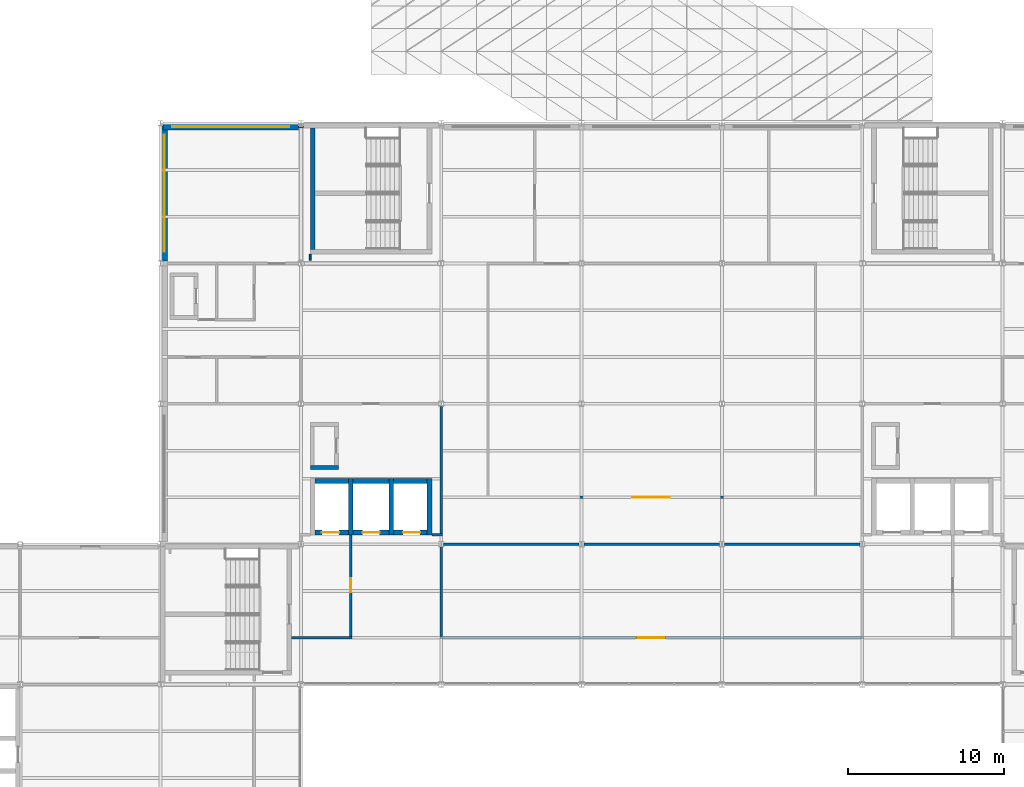
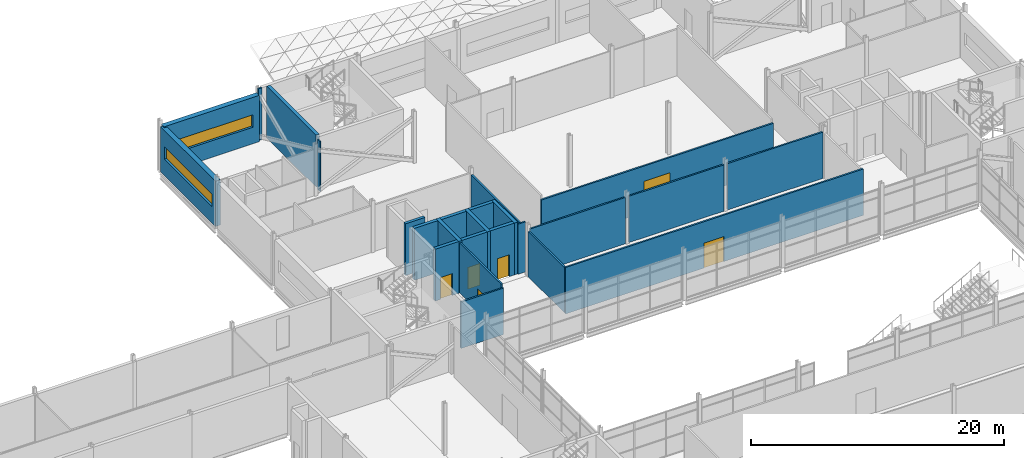
# One storey, part 84 of 112: 25 walls, 6 doors, 2 windows, 8 openings.
"""IFC4 building model written with IfcOpenShell, lengths in metres."""

from ifc_helpers import new_model, si_unit, direction, frame, frame_2d, origin, place, context, subcontext, project, spatial, rectangle, extrude, material, layer, layer_set, type_object, element, fill, save


model = new_model("IFC4")

# Units and contexts
model_context = context("Model", 3, precision=1e-05, world=origin(), true_north=direction((0.0, 1.0)))
body_context = subcontext(model_context, "Body", "Model", "MODEL_VIEW")
ifc_project = project(units=[si_unit("LENGTHUNIT", "METRE"), si_unit("AREAUNIT", "SQUARE_METRE"), si_unit("VOLUMEUNIT", "CUBIC_METRE"), si_unit("PLANEANGLEUNIT", "RADIAN"), si_unit("MASSUNIT", "GRAM", prefix="KILO")], contexts=[model_context])

# Site, building, storey
site_placement = place(None, origin())
site = spatial("IfcSite", under=ifc_project, at=site_placement, CompositionType="ELEMENT")
building_placement = place(site_placement, origin())
building = spatial("IfcBuilding", under=site, at=building_placement, Name="Shorebreak Coast Museum", CompositionType="ELEMENT")
storey_placement = place(building_placement, frame((0.0, 0.0, 6.0)))
storey = spatial("IfcBuildingStorey", under=building, at=storey_placement, Name="L01", CompositionType="ELEMENT", Elevation=6.0)

# Wall
ifc_material_1 = material(Name="Concrete N50 (50 MPa)", Category="concrete")
ifc_layer_1 = layer(ifc_material_1, 0.136474609375)
ifc_layer_set_1 = layer_set([ifc_layer_1], Name="Concrete N50 (50 MPa)")
wall_type_1 = type_object("IfcWallType", Name="Column closure panel 136", PredefinedType="SOLIDWALL", material=ifc_layer_set_1)
wall_1_placement = place(storey_placement, frame((62.83349609375, 116.768310546875, 0.0), z_axis=(0.0, 0.0, 1.0), x_axis=(1.0, 0.0, 0.0)))
element("IfcWall", 1, at=wall_1_placement, inside=storey, type_object=wall_type_1, Name="Column closure panel L01 N 8P", PredefinedType="SOLIDWALL", context=body_context, shape_type="SweptSolid", body=[
    extrude(rectangle(XDim=0.322021484375, YDim=0.136474609375, at=frame_2d((0.1611328125, 0.0))), origin(), (0.0, 0.0, 1.0), 5.0),
])

# Wall, opening, window
ifc_material_2 = material(Name="Concrete N50 (50 MPa)", Category="concrete")
ifc_layer_2 = layer(ifc_material_2, 0.449951171875)
ifc_layer_set_2 = layer_set([ifc_layer_2], Name="Concrete N50 (50 MPa)")
wall_type_2 = type_object("IfcWallType", Name="Deep-set precast panel 450", PredefinedType="SOLIDWALL", material=ifc_layer_set_2)
wall_2_placement = place(storey_placement, frame((54.155517578125, 116.77490234375, 0.0), z_axis=(0.0, 0.0, 1.0), x_axis=(1.0, 0.0, 0.0)))
wall_2 = element("IfcWall", 2, at=wall_2_placement, inside=storey, type_object=wall_type_2, Name="External wall L01 N 7P", PredefinedType="SOLIDWALL", context=body_context, shape_type="SweptSolid", body=[
    extrude(rectangle(XDim=8.677978515625, YDim=0.449951171875, at=frame_2d((4.3388671875, 0.0))), origin(), (0.0, 0.0, 1.0), 4.46630859375),
])
opening_1_placement = place(wall_2_placement, frame((0.594482421875, 0.0, 1.60009765625)))
opening_1 = element("IfcOpeningElement", 3, at=opening_1_placement, cuts=wall_2, Name="Opening WN1017", PredefinedType="OPENING", context=body_context, shape_type="SweptSolid", body=[
    extrude(rectangle(XDim=7.5, YDim=1.199951171875, at=frame_2d((3.75, 0.60009765625))), frame((0.0, 0.23486328125, 0.0), z_axis=(0.0, -1.0, 0.0), x_axis=(1.0, 0.0, 0.0)), (0.0, 0.0, 1.0), 0.469970703125),
])
ifc_material_3 = material(Name="Aluminium", Category="aluminium")
window_type = type_object("IfcWindowType", Name="Ribbon window 7500 x 1200", PartitioningType="SINGLE_PANEL", PredefinedType="WINDOW", material=ifc_material_3)
window_1_placement = place(opening_1_placement, origin())
window_1 = element("IfcWindow", 4, at=window_1_placement, inside=storey, type_object=window_type, Name="Window WN1017", OverallHeight=1.199951171875, OverallWidth=7.5, PartitioningType="SINGLE_PANEL", PredefinedType="WINDOW", context=body_context, shape_type="SweptSolid", body=[
    extrude(rectangle(XDim=7.5, YDim=1.199951171875, at=frame_2d((3.75, 0.60009765625))), frame((0.0, 0.030029296875, 0.0), z_axis=(0.0, -1.0, 0.0), x_axis=(1.0, 0.0, 0.0)), (0.0, 0.0, 1.0), 0.06005859375),
])
fill(opening_1, window_1)

wall_3_placement = place(storey_placement, frame((54.22509765625, 108.160888671875, 0.0), z_axis=(0.0, 0.0, 1.0), x_axis=(0.0, 1.0, 0.0)))
wall_3 = element("IfcWall", 5, at=wall_3_placement, inside=storey, type_object=wall_type_2, Name="External wall L01 W 7N", PredefinedType="SOLIDWALL", context=body_context, shape_type="SweptSolid", body=[
    extrude(rectangle(XDim=8.675537109375, YDim=0.449951171875, at=frame_2d((4.337890625, 0.0))), origin(), (0.0, 0.0, 1.0), 4.364501953125),
])
opening_2_placement = place(wall_3_placement, frame((0.589599609375, 0.0, 1.60009765625)))
opening_2 = element("IfcOpeningElement", 6, at=opening_2_placement, cuts=wall_3, Name="Opening WN1055", PredefinedType="OPENING", context=body_context, shape_type="SweptSolid", body=[
    extrude(rectangle(XDim=7.5, YDim=1.199951171875, at=frame_2d((3.75, 0.60009765625))), frame((0.0, 0.23486328125, 0.0), z_axis=(0.0, -1.0, 0.0), x_axis=(1.0, 0.0, 0.0)), (0.0, 0.0, 1.0), 0.469970703125),
])
window_2_placement = place(opening_2_placement, origin())
window_2 = element("IfcWindow", 7, at=window_2_placement, inside=storey, type_object=window_type, Name="Window WN1055", OverallHeight=1.199951171875, OverallWidth=7.5, PartitioningType="SINGLE_PANEL", PredefinedType="WINDOW", context=body_context, shape_type="SweptSolid", body=[
    extrude(rectangle(XDim=7.5, YDim=1.199951171875, at=frame_2d((3.75, 0.60009765625))), frame((0.0, 0.030029296875, 0.0), z_axis=(0.0, -1.0, 0.0), x_axis=(1.0, 0.0, 0.0)), (0.0, 0.0, 1.0), 0.06005859375),
])
fill(opening_2, window_2)

# Wall
ifc_material_4 = material(Name="Plasterboard on steel stud", Category="steel")
ifc_layer_3 = layer(ifc_material_4, 0.14990234375)
ifc_layer_set_3 = layer_set([ifc_layer_3], Name="Plasterboard on steel stud")
wall_type_3 = type_object("IfcWallType", Name="Fire partition 150", PredefinedType="PARTITIONING", material=ifc_layer_set_3)
wall_4_placement = place(storey_placement, frame((62.39990234375, 84.0, 0.0), z_axis=(0.0, 0.0, 1.0), x_axis=(1.0, 0.0, 0.0)))
element("IfcWall", 8, at=wall_4_placement, inside=storey, type_object=wall_type_3, Name="Partition L01-059", PredefinedType="PARTITIONING", context=body_context, shape_type="SweptSolid", body=[
    extrude(rectangle(XDim=3.875, YDim=0.14990234375, at=frame_2d((1.9375, 0.0))), origin(), (0.0, 0.0, 1.0), 4.472900390625),
])

# Wall, opening, door
wall_5_placement = place(storey_placement, frame((71.925048828125, 84.0, 0.0), z_axis=(0.0, 0.0, 1.0), x_axis=(1.0, 0.0, 0.0)))
wall_5 = element("IfcWall", 9, at=wall_5_placement, inside=storey, type_object=wall_type_3, Name="Partition L01-060", PredefinedType="PARTITIONING", context=body_context, shape_type="SweptSolid", body=[
    extrude(rectangle(XDim=27.14990234375, YDim=0.14990234375, at=frame_2d((13.574951171875, 0.0))), origin(), (0.0, 0.0, 1.0), 4.472900390625),
])
opening_3_placement = place(wall_5_placement, frame((12.625, 0.0, 0.0)))
opening_3 = element("IfcOpeningElement", 10, at=opening_3_placement, cuts=wall_5, Name="Opening D1004", PredefinedType="OPENING", context=body_context, shape_type="SweptSolid", body=[
    extrude(rectangle(XDim=1.800048828125, YDim=2.39990234375, at=frame_2d((0.89990234375, 1.199951171875))), frame((0.0, 0.0849609375, 0.0), z_axis=(0.0, -1.0, 0.0), x_axis=(1.0, 0.0, 0.0)), (0.0, 0.0, 1.0), 0.169921875),
])
ifc_material_5 = material(Name="Steel", Category="steel")
door_type_1 = type_object("IfcDoorType", Name="Fire door 1800x2400 60", OperationType="DOUBLE_DOOR_SINGLE_SWING", PredefinedType="DOOR", material=ifc_material_5)
door_1_placement = place(opening_3_placement, origin())
door_1 = element("IfcDoor", 11, at=door_1_placement, inside=storey, type_object=door_type_1, Name="Door D1004 Permanent Gallery 1.01", OperationType="DOUBLE_DOOR_SINGLE_SWING", OverallHeight=2.39990234375, OverallWidth=1.800048828125, PredefinedType="DOOR", context=body_context, shape_type="SweptSolid", body=[
    extrude(rectangle(XDim=1.800048828125, YDim=2.39990234375, at=frame_2d((0.89990234375, 1.199951171875))), frame((0.0, 0.02490234375, 0.0), z_axis=(0.0, -1.0, 0.0), x_axis=(1.0, 0.0, 0.0)), (0.0, 0.0, 1.0), 0.050048828125),
])
fill(opening_3, door_1)

# Walls
for number, where, z_axis, x_axis, name in (
    (12, (72.155517578125, 90.0, 0.0), (0.0, 0.0, 1.0), (1.0, 0.0, 0.0), "Partition L01-062"),
    (13, (81.155517578125, 90.0, 0.0), (0.0, 0.0, 1.0), (1.0, 0.0, 0.0), "Partition L01-063"),
    (14, (90.155517578125, 90.0, 0.0), (0.0, 0.0, 1.0), (1.0, 0.0, 0.0), "Partition L01-064"),
):
    element("IfcWall", number, at=place(storey_placement, frame(where, z_axis=z_axis, x_axis=x_axis)), inside=storey, type_object=wall_type_3, Name=name, PredefinedType="PARTITIONING", context=body_context, shape_type="SweptSolid", body=[
        extrude(rectangle(XDim=8.68896484375, YDim=0.14990234375, at=frame_2d((4.344482421875, 0.0))), origin(), (0.0, 0.0, 1.0), 4.46630859375),
    ])
wall_6_placement = place(storey_placement, frame((71.39990234375, 90.60009765625, 0.0), z_axis=(0.0, 0.0, 1.0), x_axis=(1.0, 0.0, 0.0)))
element("IfcWall", 15, at=wall_6_placement, inside=storey, type_object=wall_type_3, Name="Partition L01-066", PredefinedType="PARTITIONING", context=body_context, shape_type="SweptSolid", body=[
    extrude(rectangle(XDim=0.675048828125, YDim=0.14990234375, at=frame_2d((0.33740234375, 0.0))), origin(), (0.0, 0.0, 1.0), 4.824951171875),
])

# Wall, opening, door
wall_7_placement = place(storey_placement, frame((74.925048828125, 93.0, 0.0), z_axis=(0.0, 0.0, 1.0), x_axis=(1.0, 0.0, 0.0)))
wall_7 = element("IfcWall", 16, at=wall_7_placement, inside=storey, type_object=wall_type_3, Name="Partition L01-069", PredefinedType="PARTITIONING", context=body_context, shape_type="SweptSolid", body=[
    extrude(rectangle(XDim=21.14990234375, YDim=0.14990234375, at=frame_2d((10.574951171875, 0.0))), origin(), (0.0, 0.0, 1.0), 4.472900390625),
])
opening_4_placement = place(wall_7_placement, frame((9.324951171875, 0.0, 0.0)))
opening_4 = element("IfcOpeningElement", 17, at=opening_4_placement, cuts=wall_7, Name="Opening D1017", PredefinedType="OPENING", context=body_context, shape_type="SweptSolid", body=[
    extrude(rectangle(XDim=2.39990234375, YDim=3.0, at=frame_2d((1.199951171875, 1.5))), frame((0.0, 0.0849609375, 0.0), z_axis=(0.0, -1.0, 0.0), x_axis=(1.0, 0.0, 0.0)), (0.0, 0.0, 1.0), 0.169921875),
])
ifc_material_6 = material(Name="Steel", Category="steel")
door_type_2 = type_object("IfcDoorType", Name="Fire door 2400x3000 60", OperationType="DOUBLE_DOOR_SINGLE_SWING", PredefinedType="DOOR", material=ifc_material_6)
door_2_placement = place(opening_4_placement, origin())
door_2 = element("IfcDoor", 18, at=door_2_placement, inside=storey, type_object=door_type_2, Name="Door D1017 Temporary Gallery 1.01", OperationType="DOUBLE_DOOR_SINGLE_SWING", OverallHeight=3.0, OverallWidth=2.39990234375, PredefinedType="DOOR", context=body_context, shape_type="SweptSolid", body=[
    extrude(rectangle(XDim=2.39990234375, YDim=3.0, at=frame_2d((1.199951171875, 1.5))), frame((0.0, 0.02490234375, 0.0), z_axis=(0.0, -1.0, 0.0), x_axis=(1.0, 0.0, 0.0)), (0.0, 0.0, 1.0), 0.050048828125),
])
fill(opening_4, door_2)

wall_8_placement = place(storey_placement, frame((66.199951171875, 84.074951171875, 0.0), z_axis=(0.0, 0.0, 1.0), x_axis=(0.0, 1.0, 0.0)))
wall_8 = element("IfcWall", 19, at=wall_8_placement, inside=storey, type_object=wall_type_3, Name="Partition L01-120", PredefinedType="PARTITIONING", context=body_context, shape_type="SweptSolid", body=[
    extrude(rectangle(XDim=6.525146484375, YDim=0.14990234375, at=frame_2d((3.2626953125, 0.0))), origin(), (0.0, 0.0, 1.0), 4.824951171875),
])
opening_5_placement = place(wall_8_placement, frame((2.85009765625, 0.0, 0.0)))
opening_5 = element("IfcOpeningElement", 20, at=opening_5_placement, cuts=wall_8, Name="Opening D1001", PredefinedType="OPENING", context=body_context, shape_type="SweptSolid", body=[
    extrude(rectangle(XDim=0.89990234375, YDim=2.10009765625, at=frame_2d((0.449951171875, 1.050048828125))), frame((0.0, 0.0849609375, 0.0), z_axis=(0.0, -1.0, 0.0), x_axis=(1.0, 0.0, 0.0)), (0.0, 0.0, 1.0), 0.169921875),
])
ifc_material_7 = material(Name="Steel", Category="steel")
door_type_3 = type_object("IfcDoorType", Name="Fire door 900x2100 60", OperationType="SINGLE_SWING_LEFT", PredefinedType="DOOR", material=ifc_material_7)
door_3_placement = place(opening_5_placement, origin())
door_3 = element("IfcDoor", 21, at=door_3_placement, inside=storey, type_object=door_type_3, Name="Door D1001 Firefighting Lift Lobby W", OperationType="SINGLE_SWING_LEFT", OverallHeight=2.10009765625, OverallWidth=0.89990234375, PredefinedType="DOOR", context=body_context, shape_type="SweptSolid", body=[
    extrude(rectangle(XDim=0.89990234375, YDim=2.10009765625, at=frame_2d((0.449951171875, 1.050048828125))), frame((0.0, 0.02490234375, 0.0), z_axis=(0.0, -1.0, 0.0), x_axis=(1.0, 0.0, 0.0)), (0.0, 0.0, 1.0), 0.050048828125),
])
fill(opening_5, door_3)

# Walls
wall_9_placement = place(storey_placement, frame((72.0, 84.074951171875, 0.0), z_axis=(0.0, 0.0, 1.0), x_axis=(0.0, 1.0, 0.0)))
element("IfcWall", 22, at=wall_9_placement, inside=storey, type_object=wall_type_3, Name="Partition L01-127", PredefinedType="PARTITIONING", context=body_context, shape_type="SweptSolid", body=[
    extrude(rectangle(XDim=5.761474609375, YDim=0.14990234375, at=frame_2d((2.880859375, 0.0))), origin(), (0.0, 0.0, 1.0), 4.364501953125),
])
wall_10_placement = place(storey_placement, frame((72.0, 90.675048828125, 0.0), z_axis=(0.0, 0.0, 1.0), x_axis=(0.0, 1.0, 0.0)))
element("IfcWall", 23, at=wall_10_placement, inside=storey, type_object=wall_type_3, Name="Partition L01-128", PredefinedType="PARTITIONING", context=body_context, shape_type="SweptSolid", body=[
    extrude(rectangle(XDim=8.16455078125, YDim=0.14990234375, at=frame_2d((4.082275390625, 0.0))), origin(), (0.0, 0.0, 1.0), 4.364501953125),
])
ifc_material_8 = material(Name="Plasterboard on steel stud", Category="steel")
ifc_layer_4 = layer(ifc_material_8, 0.10009765625)
ifc_layer_set_4 = layer_set([ifc_layer_4], Name="Plasterboard on steel stud")
wall_type_4 = type_object("IfcWallType", Name="Partition 100", PredefinedType="PARTITIONING", material=ifc_layer_set_4)
wall_11_placement = place(storey_placement, frame((63.60009765625, 108.219970703125, 0.0), z_axis=(0.0, 0.0, 1.0), x_axis=(0.0, 1.0, 0.0)))
element("IfcWall", 24, at=wall_11_placement, inside=storey, type_object=wall_type_4, Name="Partition L01-118", PredefinedType="PARTITIONING", context=body_context, shape_type="SweptSolid", body=[
    extrude(rectangle(XDim=0.380126953125, YDim=0.10009765625, at=frame_2d((0.18994140625, 0.0))), origin(), (0.0, 0.0, 1.0), 4.824951171875),
])
ifc_material_9 = material(Name="Concrete N50 (50 MPa)", Category="concrete")
ifc_layer_5 = layer(ifc_material_9, 0.25)
ifc_layer_set_5 = layer_set([ifc_layer_5], Name="Concrete N50 (50 MPa)")
wall_type_5 = type_object("IfcWallType", Name="RC riser wall 250", PredefinedType="STANDARD", material=ifc_layer_set_5)
wall_12_placement = place(storey_placement, frame((63.60009765625, 94.925048828125, 0.0), z_axis=(0.0, 0.0, 1.0), x_axis=(1.0, 0.0, 0.0)))
element("IfcWall", 25, at=wall_12_placement, inside=storey, type_object=wall_type_5, Name="Riser wall R-LBW L01 S", PredefinedType="STANDARD", context=body_context, shape_type="SweptSolid", body=[
    extrude(rectangle(XDim=1.7998046875, YDim=0.25, at=frame_2d((0.89990234375, 0.0))), origin(), (0.0, 0.0, 1.0), 5.0),
])
ifc_material_10 = material(Name="Concrete N50 (50 MPa)", Category="concrete")
ifc_layer_6 = layer(ifc_material_10, 0.300048828125)
ifc_layer_set_6 = layer_set([ifc_layer_6], Name="Concrete N50 (50 MPa)")
wall_type_6 = type_object("IfcWallType", Name="RC wall 300", PredefinedType="SHEAR", material=ifc_layer_set_6)
wall_13_placement = place(storey_placement, frame((63.75, 108.89990234375, 0.0), z_axis=(0.0, 0.0, 1.0), x_axis=(0.0, 1.0, 0.0)))
element("IfcWall", 26, at=wall_13_placement, inside=storey, type_object=wall_type_6, Name="Stair core wall ST09 L01 W", PredefinedType="SHEAR", context=body_context, shape_type="SweptSolid", body=[
    extrude(rectangle(XDim=7.800048828125, YDim=0.300048828125, at=frame_2d((3.89990234375, 0.0))), origin(), (0.0, 0.0, 1.0), 5.0),
])
for number, where, z_axis, x_axis, name in (
    (27, (66.199951171875, 90.60009765625, 0.0), (0.0, 0.0, 1.0), (0.0, 1.0, 0.0), "Lift shaft wall LBW L01 2"),
    (28, (68.800048828125, 90.60009765625, 0.0), (0.0, 0.0, 1.0), (0.0, 1.0, 0.0), "Lift shaft wall LBW L01 3"),
    (29, (71.25, 90.60009765625, 0.0), (0.0, 0.0, 1.0), (0.0, 1.0, 0.0), "Lift shaft wall LBW L01 4"),
):
    element("IfcWall", number, at=place(storey_placement, frame(where, z_axis=z_axis, x_axis=x_axis)), inside=storey, type_object=wall_type_6, Name=name, PredefinedType="SHEAR", context=body_context, shape_type="SweptSolid", body=[
        extrude(rectangle(XDim=3.599853515625, YDim=0.300048828125, at=frame_2d((1.7998046875, 0.0))), origin(), (0.0, 0.0, 1.0), 5.0),
    ])

# Wall, opening, door
wall_14_placement = place(storey_placement, frame((63.89990234375, 90.75, 0.0), z_axis=(0.0, 0.0, 1.0), x_axis=(1.0, 0.0, 0.0)))
wall_14 = element("IfcWall", 30, at=wall_14_placement, inside=storey, type_object=wall_type_6, Name="Lift shaft wall FL1 L01 F", PredefinedType="SHEAR", context=body_context, shape_type="SweptSolid", body=[
    extrude(rectangle(XDim=2.150146484375, YDim=0.300048828125, at=frame_2d((1.0751953125, 0.0))), origin(), (0.0, 0.0, 1.0), 5.0),
])
opening_6_placement = place(wall_14_placement, frame((0.449951171875, 0.0, 0.0)))
opening_6 = element("IfcOpeningElement", 31, at=opening_6_placement, cuts=wall_14, Name="Opening LD1-FL1", PredefinedType="OPENING", context=body_context, shape_type="SweptSolid", body=[
    extrude(rectangle(XDim=1.10009765625, YDim=2.10009765625, at=frame_2d((0.550048828125, 1.050048828125))), frame((0.0, 0.159912109375, 0.0), z_axis=(0.0, -1.0, 0.0), x_axis=(1.0, 0.0, 0.0)), (0.0, 0.0, 1.0), 0.320068359375),
])
ifc_material_11 = material(Name="Steel Grade 300", Category="steel")
door_type_4 = type_object("IfcDoorType", Name="Landing door 1100x2100", OperationType="DOUBLE_DOOR_SLIDING", PredefinedType="DOOR", material=ifc_material_11)
door_4_placement = place(opening_6_placement, origin())
door_4 = element("IfcDoor", 32, at=door_4_placement, inside=storey, type_object=door_type_4, Name="Landing door FL1 L01", OperationType="DOUBLE_DOOR_SLIDING", OverallHeight=2.10009765625, OverallWidth=1.10009765625, PredefinedType="DOOR", context=body_context, shape_type="SweptSolid", body=[
    extrude(rectangle(XDim=1.10009765625, YDim=2.10009765625, at=frame_2d((0.550048828125, 1.050048828125))), frame((0.0, 0.02490234375, 0.0), z_axis=(0.0, -1.0, 0.0), x_axis=(1.0, 0.0, 0.0)), (0.0, 0.0, 1.0), 0.050048828125),
])
fill(opening_6, door_4)

# Wall
wall_15_placement = place(storey_placement, frame((63.89990234375, 94.050048828125, 0.0), z_axis=(0.0, 0.0, 1.0), x_axis=(1.0, 0.0, 0.0)))
element("IfcWall", 33, at=wall_15_placement, inside=storey, type_object=wall_type_6, Name="Lift shaft wall FL1 L01 B", PredefinedType="SHEAR", context=body_context, shape_type="SweptSolid", body=[
    extrude(rectangle(XDim=2.150146484375, YDim=0.300048828125, at=frame_2d((1.0751953125, 0.0))), origin(), (0.0, 0.0, 1.0), 5.0),
])

# Wall, opening, door
wall_16_placement = place(storey_placement, frame((66.35009765625, 90.75, 0.0), z_axis=(0.0, 0.0, 1.0), x_axis=(1.0, 0.0, 0.0)))
wall_16 = element("IfcWall", 34, at=wall_16_placement, inside=storey, type_object=wall_type_6, Name="Lift shaft wall P1 L01 F", PredefinedType="SHEAR", context=body_context, shape_type="SweptSolid", body=[
    extrude(rectangle(XDim=2.2998046875, YDim=0.300048828125, at=frame_2d((1.14990234375, 0.0))), origin(), (0.0, 0.0, 1.0), 5.0),
])
opening_7_placement = place(wall_16_placement, frame((0.60009765625, 0.0, 0.0)))
opening_7 = element("IfcOpeningElement", 35, at=opening_7_placement, cuts=wall_16, Name="Opening LD1-P1", PredefinedType="OPENING", context=body_context, shape_type="SweptSolid", body=[
    extrude(rectangle(XDim=1.10009765625, YDim=2.10009765625, at=frame_2d((0.550048828125, 1.050048828125))), frame((0.0, 0.159912109375, 0.0), z_axis=(0.0, -1.0, 0.0), x_axis=(1.0, 0.0, 0.0)), (0.0, 0.0, 1.0), 0.320068359375),
])
door_5_placement = place(opening_7_placement, origin())
door_5 = element("IfcDoor", 36, at=door_5_placement, inside=storey, type_object=door_type_4, Name="Landing door P1 L01", OperationType="DOUBLE_DOOR_SLIDING", OverallHeight=2.10009765625, OverallWidth=1.10009765625, PredefinedType="DOOR", context=body_context, shape_type="SweptSolid", body=[
    extrude(rectangle(XDim=1.10009765625, YDim=2.10009765625, at=frame_2d((0.550048828125, 1.050048828125))), frame((0.0, 0.02490234375, 0.0), z_axis=(0.0, -1.0, 0.0), x_axis=(1.0, 0.0, 0.0)), (0.0, 0.0, 1.0), 0.050048828125),
])
fill(opening_7, door_5)

# Wall
wall_17_placement = place(storey_placement, frame((66.35009765625, 94.050048828125, 0.0), z_axis=(0.0, 0.0, 1.0), x_axis=(1.0, 0.0, 0.0)))
element("IfcWall", 37, at=wall_17_placement, inside=storey, type_object=wall_type_6, Name="Lift shaft wall P1 L01 B", PredefinedType="SHEAR", context=body_context, shape_type="SweptSolid", body=[
    extrude(rectangle(XDim=2.2998046875, YDim=0.300048828125, at=frame_2d((1.14990234375, 0.0))), origin(), (0.0, 0.0, 1.0), 5.0),
])

# Wall, opening, door
wall_18_placement = place(storey_placement, frame((68.949951171875, 90.75, 0.0), z_axis=(0.0, 0.0, 1.0), x_axis=(1.0, 0.0, 0.0)))
wall_18 = element("IfcWall", 38, at=wall_18_placement, inside=storey, type_object=wall_type_6, Name="Lift shaft wall P2 L01 F", PredefinedType="SHEAR", context=body_context, shape_type="SweptSolid", body=[
    extrude(rectangle(XDim=2.150146484375, YDim=0.300048828125, at=frame_2d((1.0751953125, 0.0))), origin(), (0.0, 0.0, 1.0), 5.0),
])
opening_8_placement = place(wall_18_placement, frame((0.60009765625, 0.0, 0.0)))
opening_8 = element("IfcOpeningElement", 39, at=opening_8_placement, cuts=wall_18, Name="Opening LD1-P2", PredefinedType="OPENING", context=body_context, shape_type="SweptSolid", body=[
    extrude(rectangle(XDim=1.10009765625, YDim=2.10009765625, at=frame_2d((0.550048828125, 1.050048828125))), frame((0.0, 0.159912109375, 0.0), z_axis=(0.0, -1.0, 0.0), x_axis=(1.0, 0.0, 0.0)), (0.0, 0.0, 1.0), 0.320068359375),
])
door_6_placement = place(opening_8_placement, origin())
door_6 = element("IfcDoor", 40, at=door_6_placement, inside=storey, type_object=door_type_4, Name="Landing door P2 L01", OperationType="DOUBLE_DOOR_SLIDING", OverallHeight=2.10009765625, OverallWidth=1.10009765625, PredefinedType="DOOR", context=body_context, shape_type="SweptSolid", body=[
    extrude(rectangle(XDim=1.10009765625, YDim=2.10009765625, at=frame_2d((0.550048828125, 1.050048828125))), frame((0.0, 0.02490234375, 0.0), z_axis=(0.0, -1.0, 0.0), x_axis=(1.0, 0.0, 0.0)), (0.0, 0.0, 1.0), 0.050048828125),
])
fill(opening_8, door_6)

# Wall
wall_19_placement = place(storey_placement, frame((68.949951171875, 94.050048828125, 0.0), z_axis=(0.0, 0.0, 1.0), x_axis=(1.0, 0.0, 0.0)))
element("IfcWall", 41, at=wall_19_placement, inside=storey, type_object=wall_type_6, Name="Lift shaft wall P2 L01 B", PredefinedType="SHEAR", context=body_context, shape_type="SweptSolid", body=[
    extrude(rectangle(XDim=2.150146484375, YDim=0.300048828125, at=frame_2d((1.0751953125, 0.0))), origin(), (0.0, 0.0, 1.0), 5.0),
])

save(model, "model.ifc")
